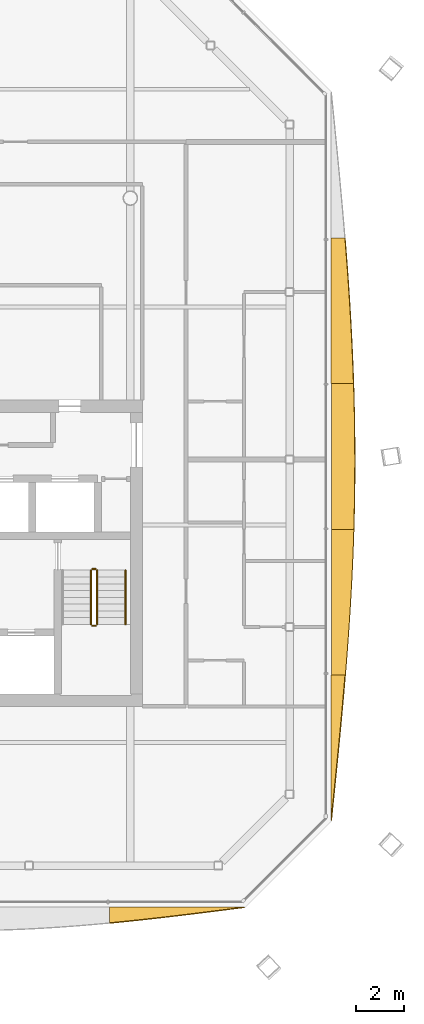
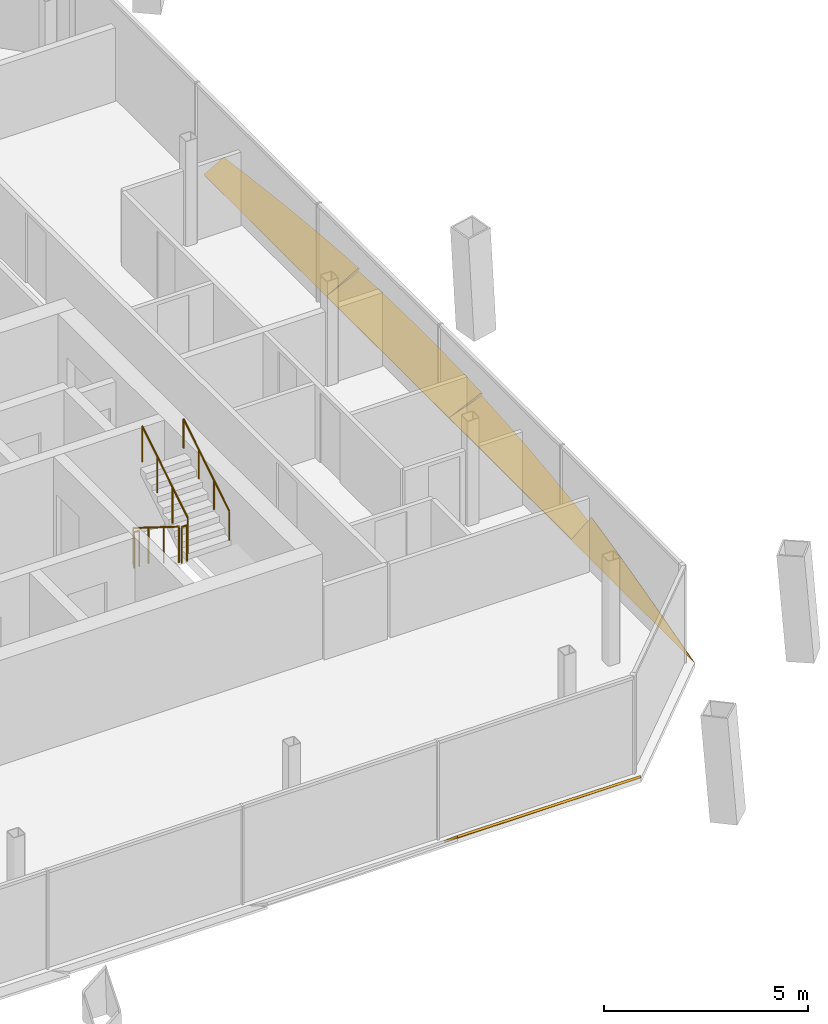
# One storey, part 19 of 20: 5 railings, 5 shading devices.
"""IFC4 building model written with IfcOpenShell, lengths in metres."""

from ifc_helpers import new_model, si_unit, direction, frame, origin, origin_2d, place, context, subcontext, project, spatial, polyline, circle, outline, extrude, material, layer, layer_set, type_object, element, save


model = new_model("IFC4")

# Units and contexts
model_context = context("Model", 3, precision=1e-05, world=origin(), true_north=direction((0.0, 1.0)))
body_context = subcontext(model_context, "Body", "Model", "MODEL_VIEW")
ifc_project = project(units=[si_unit("LENGTHUNIT", "METRE"), si_unit("AREAUNIT", "SQUARE_METRE"), si_unit("VOLUMEUNIT", "CUBIC_METRE"), si_unit("PLANEANGLEUNIT", "RADIAN"), si_unit("MASSUNIT", "GRAM", prefix="KILO")], contexts=[model_context])

# Site, building, storey
site_placement = place(None, origin())
site = spatial("IfcSite", under=ifc_project, at=site_placement, CompositionType="ELEMENT")
building_placement = place(site_placement, origin())
building = spatial("IfcBuilding", under=site, at=building_placement, Name="Tskaro Facet Tower", CompositionType="ELEMENT")
storey_placement = place(building_placement, frame((0.0, 0.0, 197.39990234375)))
storey = spatial("IfcBuildingStorey", under=building, at=storey_placement, Name="L50", CompositionType="ELEMENT", Elevation=197.39990234375)

# Shading devices
ifc_material_1 = material(Name="Bronze anodised aluminium 6063-T6", Category="aluminium")
ifc_layer = layer(ifc_material_1, 0.06005859375, Name="Bronze anodised aluminium 6063-T6")
ifc_layer_set = layer_set([ifc_layer], Name="Bronze anodised aluminium 6063-T6")
shading_device_type = type_object("IfcShadingDeviceType", Name="Bronze sun blade (FN1)", PredefinedType="USERDEFINED", material=ifc_layer_set)
shading_device_1_placement = place(storey_placement, frame((8.14794921875, -20.29150390625, 0.046142578125), z_axis=(-2.1428316e-05, 0.642835270174, 0.766004448395), x_axis=(0.99999999977, 1.3774877e-05, 1.6414185e-05)))
element("IfcShadingDevice", 1, at=shading_device_1_placement, inside=storey, type_object=shading_device_type, Name="Fin blade south 6", ObjectType="FIN", PredefinedType="USERDEFINED", context=body_context, shape_type="SweptSolid", body=[
    extrude(outline(polyline([(0.0, 0.0), (5.573974608095291, -9.442680282599087e-21), (4.877197266625718, -0.11609697558551081), (4.180664060484993, -0.2313490989473626), (3.4838867172235286, -0.34450742165208437), (2.7871093761775416, -0.45488403368068553), (2.090332031406576, -0.5612901278000119), (1.3935546856292769, -0.6631947361957411), (0.6967773436385716, -0.7591919682297339), (-2.580278858832556e-09, -0.8489679394926535), (0.0, 0.0)])), origin(), (0.0, 0.0, -1.0), 0.06005859375),
])
shading_device_2_placement = place(storey_placement, frame((17.29150390625, -16.721923828125, 0.046142578125), z_axis=(-0.642870519083, 9.93278e-07, 0.765974866228), x_axis=(6.38549e-07, 1.0, -7.60826e-07)))
element("IfcShadingDevice", 2, at=shading_device_2_placement, inside=storey, type_object=shading_device_type, Name="Fin blade east 1", ObjectType="FIN", PredefinedType="USERDEFINED", context=body_context, shape_type="SweptSolid", body=[
    extrude(outline(polyline([(0.0, 0.0), (6.019042968747031, 6.372909631838233e-22), (6.019042968752953, -0.7515648173418814), (5.3503417969015725, -0.6779180705643145), (4.6816406250070735, -0.600801705085512), (4.012695312414604, -0.520559677298372), (3.343994140656106, -0.4379099547609435), (2.675048828139931, -0.35282248270097427), (2.006347656212272, -0.26617217948683636), (1.3374023437790243, -0.17814605070110506), (0.6687011718745857, -0.08924500354700171), (0.0, 0.0)])), origin(), (0.0, 0.0, -1.0), 0.06005859375),
])
shading_device_3_placement = place(storey_placement, frame((17.3095703125, -10.702880859375, 0.056396484375), z_axis=(-0.342123554906, 9.99683e-07, 0.939654975604), x_axis=(3.42015e-07, 1.0, -9.39357e-07)))
element("IfcShadingDevice", 3, at=shading_device_3_placement, inside=storey, type_object=shading_device_type, Name="Fin blade east 2", ObjectType="FIN", PredefinedType="USERDEFINED", context=body_context, shape_type="SweptSolid", body=[
    extrude(outline(polyline([(0.0, 0.0), (6.019287109371992, 0.0), (6.01928710931237, -0.9860364710203977), (5.350585937553124, -0.9620910465520316), (4.6816406249583915, -0.9332857134249929), (4.012939453174509, -0.8999957612868164), (3.343994140638643, -0.8620753084429956), (2.675292968767791, -0.8199831707995877), (2.006591796936954, -0.7737193483565924), (1.337646484375297, -0.7235967753255602), (0.6689453124163187, -0.6698448596595197), (-1.0648024134661495e-10, -0.6126930093114992), (0.0, 0.0)])), origin(), (0.0, 0.0, -1.0), 0.06005859375),
])
shading_device_4_placement = place(storey_placement, frame((17.3046875, -4.68359375, 0.054443359375), z_axis=(-0.422644220412, -4.227305e-06, 0.906295681847), x_axis=(-1.786646e-06, 0.999999999991, 3.831189e-06)))
element("IfcShadingDevice", 4, at=shading_device_4_placement, inside=storey, type_object=shading_device_type, Name="Fin blade east 3", ObjectType="FIN", PredefinedType="USERDEFINED", context=body_context, shape_type="SweptSolid", body=[
    extrude(outline(polyline([(0.0, 0.0), (6.019287109321217, 0.0), (6.019287109774652, -1.012391233105517), (5.3503417969931, -1.0339101517343716), (4.681640624706073, -1.050296400456247), (4.01269531216273, -1.0618744274894705), (3.343994140113912, -1.0683197846157144), (2.829101562618594, -1.0697356564591036), (2.6752929688699685, -1.0697356564591036), (2.006347656371398, -1.0656944101771855), (1.3376464843673512, -1.056520493988288), (0.6687011720440265, -1.0419926442982077), (2.1522557641574208e-10, -1.022332124701148), (0.0, 0.0)])), origin(), (0.0, 0.0, -1.0), 0.06005859375),
])
shading_device_5_placement = place(storey_placement, frame((17.300048828125, 1.335693359375, 0.052001953125), z_axis=(-0.500094483093, -4.544411e-06, 0.865970847061), x_axis=(-2.272635e-06, 0.99999999999, 3.935327e-06)))
element("IfcShadingDevice", 5, at=shading_device_5_placement, inside=storey, type_object=shading_device_type, Name="Fin blade east 4", ObjectType="FIN", PredefinedType="USERDEFINED", context=body_context, shape_type="SweptSolid", body=[
    extrude(outline(polyline([(0.0, 0.0), (6.019042968687848, -2.549163852735293e-21), (6.019042968673262, -0.6512496819297314), (5.350341796501009, -0.7123892044398428), (4.681396484597228, -0.7702591427059536), (4.012695312290367, -0.8246153099687384), (3.3439941406199565, -0.8748234502366913), (2.6750488280002274, -0.9207614701301493), (2.0063476566419465, -0.9625514630287753), (1.3374023439284153, -0.9997378235094085), (0.668701171664471, -1.0321091329082135), (-2.2004149431802654e-10, -1.059453972561355), (0.0, 0.0)])), origin(), (0.0, 0.0, -1.0), 0.06005859375),
])

# Railings
ifc_material_2 = material(Name="Stainless steel", Category="steel")
railing_type_1 = type_object("IfcRailingType", Name="RL-GUARD-1100", PredefinedType="GUARDRAIL", material=ifc_material_2)
railing_1_placement = place(storey_placement, frame((7.375, -6.375, 0.175048828125)))
element("IfcRailing", 6, at=railing_1_placement, inside=storey, type_object=railing_type_1, Name="L50 ST-2 stair guard 1", PredefinedType="GUARDRAIL", context=body_context, shape_type="SweptSolid", body=[
    extrude(circle(Radius=0.02392578125, at=origin_2d()), frame((0.0, 0.0, 1.076171875), z_axis=(0.0, -0.847972341737, 0.530040477369), x_axis=(1.0, 0.0, 0.0)), (0.0, 0.0, 1.0), 2.6416015625),
    extrude(circle(Radius=0.02099609375, at=origin_2d()), origin(), (0.0, 0.0, 1.0), 1.052001953125),
    extrude(circle(Radius=0.02099609375, at=origin_2d()), frame((0.0, -0.74658203125, 0.466796875)), (0.0, 0.0, 1.0), 1.052001953125),
    extrude(circle(Radius=0.02099609375, at=origin_2d()), frame((0.0, -1.493408203125, 0.933349609375)), (0.0, 0.0, 1.0), 1.052001953125),
    extrude(circle(Radius=0.02099609375, at=origin_2d()), frame((0.0, -2.239990234375, 1.400146484375)), (0.0, 0.0, 1.0), 1.052001953125),
])
railing_2_placement = place(storey_placement, frame((7.425048828125, -8.6650390625, 1.5751953125)))
element("IfcRailing", 7, at=railing_2_placement, inside=storey, type_object=railing_type_1, Name="L50 ST-2 stair guard 2", PredefinedType="GUARDRAIL", context=body_context, shape_type="SweptSolid", body=[
    extrude(circle(Radius=0.02392578125, at=origin_2d()), frame((0.0, 0.0, 1.076171875), z_axis=(1.0, 0.0, 0.0), x_axis=(0.0, 1.0, 0.0)), (0.0, 0.0, 1.0), 0.14990234375),
    extrude(circle(Radius=0.02099609375, at=origin_2d()), origin(), (0.0, 0.0, 1.0), 1.052001953125),
    extrude(circle(Radius=0.02099609375, at=origin_2d()), frame((0.14990234375, 0.0, 0.0)), (0.0, 0.0, 1.0), 1.052001953125),
])
railing_3_placement = place(storey_placement, frame((7.625, -8.614990234375, 1.75)))
element("IfcRailing", 8, at=railing_3_placement, inside=storey, type_object=railing_type_1, Name="L50 ST-2 stair guard 3", PredefinedType="GUARDRAIL", context=body_context, shape_type="SweptSolid", body=[
    extrude(circle(Radius=0.02392578125, at=origin_2d()), frame((0.0, 0.0, 1.076171875), z_axis=(0.0, 0.847972341737, 0.530040477369), x_axis=(-1.0, 0.0, 0.0)), (0.0, 0.0, 1.0), 2.6416015625),
    extrude(circle(Radius=0.02099609375, at=origin_2d()), origin(), (0.0, 0.0, 1.0), 1.052001953125),
    extrude(circle(Radius=0.02099609375, at=origin_2d()), frame((0.0, 0.74658203125, 0.466796875)), (0.0, 0.0, 1.0), 1.052001953125),
    extrude(circle(Radius=0.02099609375, at=origin_2d()), frame((0.0, 1.493408203125, 0.933349609375)), (0.0, 0.0, 1.0), 1.052001953125),
    extrude(circle(Radius=0.02099609375, at=origin_2d()), frame((0.0, 2.239990234375, 1.400146484375)), (0.0, 0.0, 1.0), 1.052001953125),
])
railing_4_placement = place(storey_placement, frame((7.425048828125, -6.324951171875, 0.0)))
element("IfcRailing", 9, at=railing_4_placement, inside=storey, type_object=railing_type_1, Name="L50 ST-2 stair guard 4", PredefinedType="GUARDRAIL", context=body_context, shape_type="SweptSolid", body=[
    extrude(circle(Radius=0.02392578125, at=origin_2d()), frame((0.0, 0.0, 1.076171875), z_axis=(1.0, 0.0, 0.0), x_axis=(0.0, 1.0, 0.0)), (0.0, 0.0, 1.0), 0.14990234375),
    extrude(circle(Radius=0.02099609375, at=origin_2d()), origin(), (0.0, 0.0, 1.0), 1.052001953125),
    extrude(circle(Radius=0.02099609375, at=origin_2d()), frame((0.14990234375, 0.0, 0.0)), (0.0, 0.0, 1.0), 1.052001953125),
])
railing_type_2 = type_object("IfcRailingType", Name="RL-HANDRAIL-900", PredefinedType="HANDRAIL", material=ifc_material_2)
railing_5_placement = place(storey_placement, frame((8.800048828125, -8.614990234375, 1.75)))
element("IfcRailing", 10, at=railing_5_placement, inside=storey, type_object=railing_type_2, Name="L50 ST-2 stair handrail 2", PredefinedType="HANDRAIL", context=body_context, shape_type="SweptSolid", body=[
    extrude(circle(Radius=0.02392578125, at=origin_2d()), frame((0.0, 0.0, 0.8759765625), z_axis=(0.0, 0.847972341737, 0.530040477369), x_axis=(-1.0, 0.0, 0.0)), (0.0, 0.0, 1.0), 2.6416015625),
    extrude(circle(Radius=0.02099609375, at=origin_2d()), origin(), (0.0, 0.0, 1.0), 0.851806640625),
    extrude(circle(Radius=0.02099609375, at=origin_2d()), frame((0.0, 0.74658203125, 0.466796875)), (0.0, 0.0, 1.0), 0.851806640625),
    extrude(circle(Radius=0.02099609375, at=origin_2d()), frame((0.0, 1.493408203125, 0.933349609375)), (0.0, 0.0, 1.0), 0.851806640625),
    extrude(circle(Radius=0.02099609375, at=origin_2d()), frame((0.0, 2.239990234375, 1.400146484375)), (0.0, 0.0, 1.0), 0.851806640625),
])

save(model, "model.ifc")
